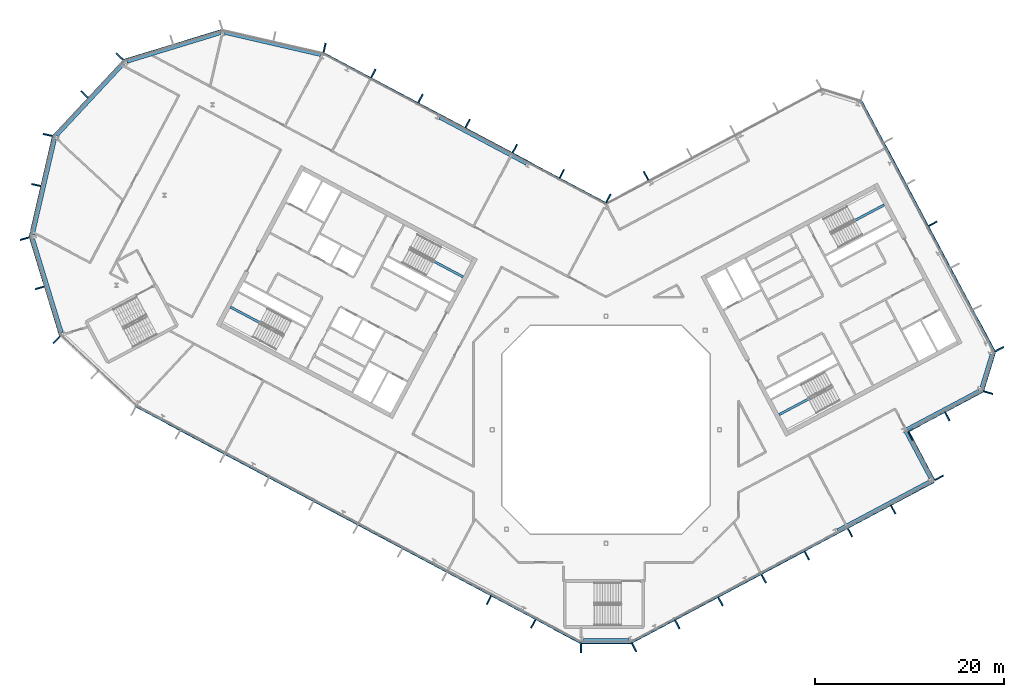
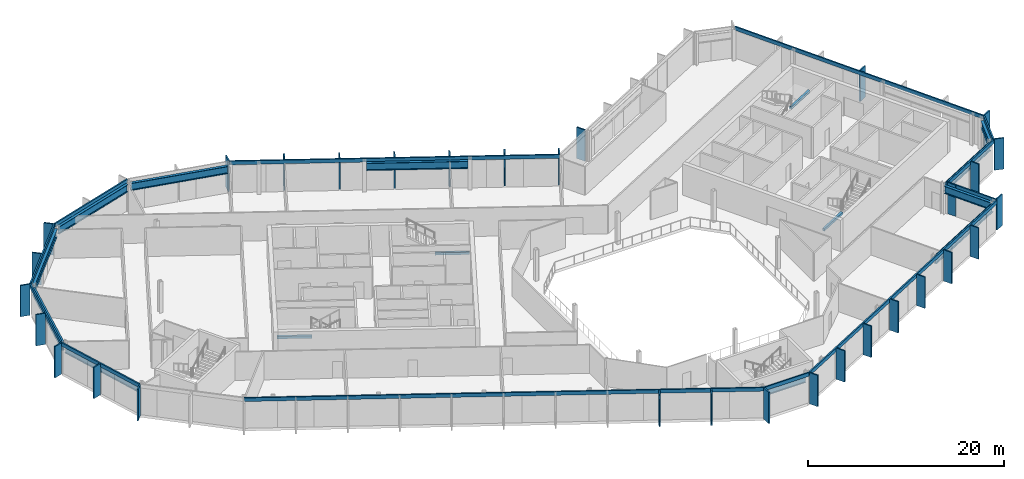
# One storey, part 9 of 26: 43 members, 15 beams, 15 elements without a shape of their own.
"""IFC4 building model written with IfcOpenShell, lengths in metres."""

from ifc_helpers import new_model, si_unit, direction, frame, origin, origin_2d, place, context, subcontext, project, spatial, rectangle, i_section, extrude, material, layer, layer_set, material_profile, profile_set, type_object, element, aggregate, save


model = new_model("IFC4")

# Units and contexts
model_context = context("Model", 3, precision=1e-05, world=origin(), true_north=direction((0.0, 1.0)))
body_context = subcontext(model_context, "Body", "Model", "MODEL_VIEW")
ifc_project = project(units=[si_unit("LENGTHUNIT", "METRE"), si_unit("AREAUNIT", "SQUARE_METRE"), si_unit("VOLUMEUNIT", "CUBIC_METRE"), si_unit("PLANEANGLEUNIT", "RADIAN"), si_unit("MASSUNIT", "GRAM", prefix="KILO")], contexts=[model_context])

# Site, building, storey
site_placement = place(None, origin())
site = spatial("IfcSite", under=ifc_project, at=site_placement, CompositionType="ELEMENT")
building_placement = place(site_placement, origin())
building = spatial("IfcBuilding", under=site, at=building_placement, Name="Cormorant Relay Tower", CompositionType="ELEMENT")
storey_placement = place(building_placement, frame((0.0, 0.0, 269.699951171875)))
storey = spatial("IfcBuildingStorey", under=building, at=storey_placement, Name="L60", CompositionType="ELEMENT", Elevation=269.699951171875)

# Curtain wall, member
ifc_material_1 = material(Name="Aluminium 6063-T6 anodised bronze", Category="aluminium")
ifc_layer = layer(ifc_material_1, 0.199951171875)
ifc_layer_set = layer_set([ifc_layer], Name="CW1 unitised bronze curtain wall with vertical fins")
curtain_wall_type = type_object("IfcCurtainWallType", Name="CW1 unitised bronze curtain wall with vertical fins", PredefinedType="NOTDEFINED", material=ifc_layer_set)
curtain_wall_1_placement = place(storey_placement, origin())
curtain_wall_1 = element("IfcCurtainWall", 1, at=curtain_wall_1_placement, inside=storey, type_object=curtain_wall_type, Name="CW1 curtain wall 1", PredefinedType="NOTDEFINED")
ifc_material_2 = material(Name="Aluminium 6063-T6 anodised bronze", Category="aluminium")
ifc_material_profile_1 = material_profile(ifc_material_2, rectangle(XDim=0.14990234375, YDim=1.0, at=origin_2d()), Name="AL 150x1000")
ifc_profile_set_1 = profile_set([ifc_material_profile_1], Name="Aluminium 6063-T6 anodised bronze")
member_type_1 = type_object("IfcMemberType", Name="CW1 bronze fin mullion 150 x 1000", PredefinedType="MULLION", material=ifc_profile_set_1)
member_1_placement = place(storey_placement, frame((-2.648681640625, -23.07568359375, 0.0), z_axis=(0.0, 0.0, 1.0), x_axis=(1.0, 0.0, 0.0)))
member_1 = element("IfcMember", 2, at=member_1_placement, type_object=member_type_1, Name="CW1 fin 1.1", PredefinedType="MULLION", context=body_context, shape_type="SweptSolid", body=[
    extrude(rectangle(XDim=0.14990234375, YDim=1.0, at=origin_2d()), origin(), (0.0, 0.0, 1.0), 3.900146484375),
])

# Curtain wall, members
curtain_wall_2_placement = place(storey_placement, origin())
curtain_wall_2 = element("IfcCurtainWall", 3, at=curtain_wall_2_placement, inside=storey, type_object=curtain_wall_type, Name="CW1 curtain wall 2", PredefinedType="NOTDEFINED")
member_2_placement = place(storey_placement, frame((2.9775390625, -22.99365234375, 0.0), z_axis=(0.0, 0.0, 1.0), x_axis=(0.882947592859, 0.469471562786, 0.0)))
member_2 = element("IfcMember", 4, at=member_2_placement, type_object=member_type_1, Name="CW1 fin 2.1", PredefinedType="MULLION", context=body_context, shape_type="SweptSolid", body=[
    extrude(rectangle(XDim=0.14990234375, YDim=1.0, at=origin_2d()), origin(), (0.0, 0.0, 1.0), 3.900146484375),
])
member_3_placement = place(storey_placement, frame((7.539306640625, -20.568115234375, 0.0), z_axis=(0.0, 0.0, 1.0), x_axis=(0.882947592859, 0.469471562786, 0.0)))
member_3 = element("IfcMember", 5, at=member_3_placement, type_object=member_type_1, Name="CW1 fin 2.2", PredefinedType="MULLION", context=body_context, shape_type="SweptSolid", body=[
    extrude(rectangle(XDim=0.14990234375, YDim=1.0, at=origin_2d()), origin(), (0.0, 0.0, 1.0), 3.900146484375),
])
member_4_placement = place(storey_placement, frame((12.10107421875, -18.142578125, 0.0), z_axis=(0.0, 0.0, 1.0), x_axis=(0.882947592859, 0.469471562786, 0.0)))
member_4 = element("IfcMember", 6, at=member_4_placement, type_object=member_type_1, Name="CW1 fin 2.3", PredefinedType="MULLION", context=body_context, shape_type="SweptSolid", body=[
    extrude(rectangle(XDim=0.14990234375, YDim=1.0, at=origin_2d()), origin(), (0.0, 0.0, 1.0), 3.900146484375),
])
member_5_placement = place(storey_placement, frame((16.662841796875, -15.717041015625, 0.0), z_axis=(0.0, 0.0, 1.0), x_axis=(0.882947592859, 0.469471562786, 0.0)))
member_5 = element("IfcMember", 7, at=member_5_placement, type_object=member_type_1, Name="CW1 fin 2.4", PredefinedType="MULLION", context=body_context, shape_type="SweptSolid", body=[
    extrude(rectangle(XDim=0.14990234375, YDim=1.0, at=origin_2d()), origin(), (0.0, 0.0, 1.0), 3.900146484375),
])
member_6_placement = place(storey_placement, frame((21.224609375, -13.29150390625, 0.0), z_axis=(0.0, 0.0, 1.0), x_axis=(0.882947592859, 0.469471562786, 0.0)))
member_6 = element("IfcMember", 8, at=member_6_placement, type_object=member_type_1, Name="CW1 fin 2.5", PredefinedType="MULLION", context=body_context, shape_type="SweptSolid", body=[
    extrude(rectangle(XDim=0.14990234375, YDim=1.0, at=origin_2d()), origin(), (0.0, 0.0, 1.0), 3.900146484375),
])
member_7_placement = place(storey_placement, frame((25.78662109375, -10.865966796875, 0.0), z_axis=(0.0, 0.0, 1.0), x_axis=(0.882947592859, 0.469471562786, 0.0)))
member_7 = element("IfcMember", 9, at=member_7_placement, type_object=member_type_1, Name="CW1 fin 2.6", PredefinedType="MULLION", context=body_context, shape_type="SweptSolid", body=[
    extrude(rectangle(XDim=0.14990234375, YDim=1.0, at=origin_2d()), origin(), (0.0, 0.0, 1.0), 3.900146484375),
])
member_8_placement = place(storey_placement, frame((30.348388671875, -8.440185546875, 0.0), z_axis=(0.0, 0.0, 1.0), x_axis=(0.882947592859, 0.469471562786, 0.0)))
member_8 = element("IfcMember", 10, at=member_8_placement, type_object=member_type_1, Name="CW1 fin 2.7", PredefinedType="MULLION", context=body_context, shape_type="SweptSolid", body=[
    extrude(rectangle(XDim=0.14990234375, YDim=1.0, at=origin_2d()), origin(), (0.0, 0.0, 1.0), 3.900146484375),
])

# Curtain wall, member
curtain_wall_3_placement = place(storey_placement, origin())
curtain_wall_3 = element("IfcCurtainWall", 11, at=curtain_wall_3_placement, inside=storey, type_object=curtain_wall_type, Name="CW1 curtain wall 3", PredefinedType="NOTDEFINED")
member_9_placement = place(storey_placement, frame((35.199462890625, -5.068115234375, 0.0), z_axis=(0.0, 0.0, 1.0), x_axis=(-0.469471562786, 0.882947592859, 0.0)))
member_9 = element("IfcMember", 12, at=member_9_placement, type_object=member_type_1, Name="CW1 fin 3.1", PredefinedType="MULLION", context=body_context, shape_type="SweptSolid", body=[
    extrude(rectangle(XDim=0.14990234375, YDim=1.0, at=origin_2d()), origin(), (0.0, 0.0, 1.0), 3.900146484375),
])

# Curtain wall, members
curtain_wall_4_placement = place(storey_placement, origin())
curtain_wall_4 = element("IfcCurtainWall", 13, at=curtain_wall_4_placement, inside=storey, type_object=curtain_wall_type, Name="CW1 curtain wall 4", PredefinedType="NOTDEFINED")
member_10_placement = place(storey_placement, frame((32.159423828125, -0.681884765625, 0.0), z_axis=(0.0, 0.0, 1.0), x_axis=(0.882947592859, 0.469471562786, 0.0)))
member_10 = element("IfcMember", 14, at=member_10_placement, type_object=member_type_1, Name="CW1 fin 4.1", PredefinedType="MULLION", context=body_context, shape_type="SweptSolid", body=[
    extrude(rectangle(XDim=0.14990234375, YDim=1.0, at=origin_2d()), origin(), (0.0, 0.0, 1.0), 3.900146484375),
])
member_11_placement = place(storey_placement, frame((36.06640625, 1.3955078125, 0.0), z_axis=(0.0, 0.0, 1.0), x_axis=(0.882947592859, 0.469471562786, 0.0)))
member_11 = element("IfcMember", 15, at=member_11_placement, type_object=member_type_1, Name="CW1 fin 4.2", PredefinedType="MULLION", context=body_context, shape_type="SweptSolid", body=[
    extrude(rectangle(XDim=0.14990234375, YDim=1.0, at=origin_2d()), origin(), (0.0, 0.0, 1.0), 3.900146484375),
])

# Curtain wall, member
curtain_wall_5_placement = place(storey_placement, origin())
curtain_wall_5 = element("IfcCurtainWall", 16, at=curtain_wall_5_placement, inside=storey, type_object=curtain_wall_type, Name="CW1 curtain wall 5", PredefinedType="NOTDEFINED")
member_12_placement = place(storey_placement, frame((40.380615234375, 3.921630859375, 0.0), z_axis=(0.0, 0.0, 1.0), x_axis=(0.292371704723, 0.956304755963, 0.0)))
member_12 = element("IfcMember", 17, at=member_12_placement, type_object=member_type_1, Name="CW1 fin 5.1", PredefinedType="MULLION", context=body_context, shape_type="SweptSolid", body=[
    extrude(rectangle(XDim=0.14990234375, YDim=1.0, at=origin_2d()), origin(), (0.0, 0.0, 1.0), 3.900146484375),
])

# Curtain wall, members
curtain_wall_6_placement = place(storey_placement, origin())
curtain_wall_6 = element("IfcCurtainWall", 18, at=curtain_wall_6_placement, inside=storey, type_object=curtain_wall_type, Name="CW1 curtain wall 6", PredefinedType="NOTDEFINED")
member_13_placement = place(storey_placement, frame((41.569580078125, 8.51220703125, 0.0), z_axis=(0.0, 0.0, 1.0), x_axis=(-0.469471562786, 0.882947592859, 0.0)))
member_13 = element("IfcMember", 19, at=member_13_placement, type_object=member_type_1, Name="CW1 fin 6.1", PredefinedType="MULLION", context=body_context, shape_type="SweptSolid", body=[
    extrude(rectangle(XDim=0.14990234375, YDim=1.0, at=origin_2d()), origin(), (0.0, 0.0, 1.0), 3.900146484375),
])
member_14_placement = place(storey_placement, frame((34.527587890625, 21.75634765625, 0.0), z_axis=(0.0, 0.0, 1.0), x_axis=(-0.469471562786, 0.882947592859, 0.0)))
member_14 = element("IfcMember", 20, at=member_14_placement, type_object=member_type_1, Name="CW1 fin 6.4", PredefinedType="MULLION", context=body_context, shape_type="SweptSolid", body=[
    extrude(rectangle(XDim=0.14990234375, YDim=1.0, at=origin_2d()), origin(), (0.0, 0.0, 1.0), 3.900146484375),
])

# Curtain wall, member
curtain_wall_7_placement = place(storey_placement, origin())
curtain_wall_7 = element("IfcCurtainWall", 21, at=curtain_wall_7_placement, inside=storey, type_object=curtain_wall_type, Name="CW1 curtain wall 8", PredefinedType="NOTDEFINED")
member_15_placement = place(storey_placement, frame((4.2333984375, 26.82763671875, 0.0), z_axis=(0.0, 0.0, 1.0), x_axis=(-0.882947592859, -0.469471562786, 0.0)))
member_15 = element("IfcMember", 22, at=member_15_placement, type_object=member_type_1, Name="CW1 fin 8.5", PredefinedType="MULLION", context=body_context, shape_type="SweptSolid", body=[
    extrude(rectangle(XDim=0.14990234375, YDim=1.0, at=origin_2d()), origin(), (0.0, 0.0, 1.0), 3.900146484375),
])
aggregate(curtain_wall_7, [member_15])

# Curtain wall, members
curtain_wall_8_placement = place(storey_placement, origin())
curtain_wall_8 = element("IfcCurtainWall", 23, at=curtain_wall_8_placement, inside=storey, type_object=curtain_wall_type, Name="CW1 curtain wall 9", PredefinedType="NOTDEFINED")
member_16_placement = place(storey_placement, frame((0.262451171875, 24.437255859375, 0.0), z_axis=(0.0, 0.0, 1.0), x_axis=(-0.882947592859, 0.469471562786, 0.0)))
member_16 = element("IfcMember", 24, at=member_16_placement, type_object=member_type_1, Name="CW1 fin 9.1", PredefinedType="MULLION", context=body_context, shape_type="SweptSolid", body=[
    extrude(rectangle(XDim=0.14990234375, YDim=1.0, at=origin_2d()), origin(), (0.0, 0.0, 1.0), 3.900146484375),
])
member_17_placement = place(storey_placement, frame((-4.650390625, 27.04931640625, 0.0), z_axis=(0.0, 0.0, 1.0), x_axis=(-0.882947592859, 0.469471562786, 0.0)))
member_17 = element("IfcMember", 25, at=member_17_placement, type_object=member_type_1, Name="CW1 fin 9.2", PredefinedType="MULLION", context=body_context, shape_type="SweptSolid", body=[
    extrude(rectangle(XDim=0.14990234375, YDim=1.0, at=origin_2d()), origin(), (0.0, 0.0, 1.0), 3.900146484375),
])
member_18_placement = place(storey_placement, frame((-9.62939453125, 29.69677734375, 0.0), z_axis=(0.0, 0.0, 1.0), x_axis=(-0.882947592859, 0.469471562786, 0.0)))
member_18 = element("IfcMember", 26, at=member_18_placement, type_object=member_type_1, Name="CW1 fin 9.3", PredefinedType="MULLION", context=body_context, shape_type="SweptSolid", body=[
    extrude(rectangle(XDim=0.14990234375, YDim=1.0, at=origin_2d()), origin(), (0.0, 0.0, 1.0), 3.900146484375),
])
member_19_placement = place(storey_placement, frame((-14.608154296875, 32.343994140625, 0.0), z_axis=(0.0, 0.0, 1.0), x_axis=(-0.882947592859, 0.469471562786, 0.0)))
member_19 = element("IfcMember", 27, at=member_19_placement, type_object=member_type_1, Name="CW1 fin 9.4", PredefinedType="MULLION", context=body_context, shape_type="SweptSolid", body=[
    extrude(rectangle(XDim=0.14990234375, YDim=1.0, at=origin_2d()), origin(), (0.0, 0.0, 1.0), 3.900146484375),
])
member_20_placement = place(storey_placement, frame((-19.587158203125, 34.991455078125, 0.0), z_axis=(0.0, 0.0, 1.0), x_axis=(-0.882947592859, 0.469471562786, 0.0)))
member_20 = element("IfcMember", 28, at=member_20_placement, type_object=member_type_1, Name="CW1 fin 9.5", PredefinedType="MULLION", context=body_context, shape_type="SweptSolid", body=[
    extrude(rectangle(XDim=0.14990234375, YDim=1.0, at=origin_2d()), origin(), (0.0, 0.0, 1.0), 3.900146484375),
])
member_21_placement = place(storey_placement, frame((-24.566162109375, 37.638916015625, 0.0), z_axis=(0.0, 0.0, 1.0), x_axis=(-0.882947592859, 0.469471562786, 0.0)))
member_21 = element("IfcMember", 29, at=member_21_placement, type_object=member_type_1, Name="CW1 fin 9.6", PredefinedType="MULLION", context=body_context, shape_type="SweptSolid", body=[
    extrude(rectangle(XDim=0.14990234375, YDim=1.0, at=origin_2d()), origin(), (0.0, 0.0, 1.0), 3.900146484375),
])

# Curtain wall, member
curtain_wall_9_placement = place(storey_placement, origin())
curtain_wall_9 = element("IfcCurtainWall", 30, at=curtain_wall_9_placement, inside=storey, type_object=curtain_wall_type, Name="CW1 curtain wall 10", PredefinedType="NOTDEFINED")
member_22_placement = place(storey_placement, frame((-29.71630859375, 40.35009765625, 0.0), z_axis=(0.0, 0.0, 1.0), x_axis=(-0.974370064785, 0.224951054344, 0.0)))
member_22 = element("IfcMember", 31, at=member_22_placement, type_object=member_type_1, Name="CW1 fin 10.1", PredefinedType="MULLION", context=body_context, shape_type="SweptSolid", body=[
    extrude(rectangle(XDim=0.14990234375, YDim=1.0, at=origin_2d()), origin(), (0.0, 0.0, 1.0), 3.900146484375),
])
aggregate(curtain_wall_9, [member_22])

# Curtain wall, members
curtain_wall_10_placement = place(storey_placement, origin())
curtain_wall_10 = element("IfcCurtainWall", 32, at=curtain_wall_10_placement, inside=storey, type_object=curtain_wall_type, Name="CW1 curtain wall 12", PredefinedType="NOTDEFINED")
member_23_placement = place(storey_placement, frame((-51.372802734375, 39.41259765625, 0.0), z_axis=(0.0, 0.0, 1.0), x_axis=(-0.681998360062, -0.731353701619, 0.0)))
member_23 = element("IfcMember", 33, at=member_23_placement, type_object=member_type_1, Name="CW1 fin 12.1", PredefinedType="MULLION", context=body_context, shape_type="SweptSolid", body=[
    extrude(rectangle(XDim=0.14990234375, YDim=1.0, at=origin_2d()), origin(), (0.0, 0.0, 1.0), 3.900146484375),
])
member_24_placement = place(storey_placement, frame((-55.07958984375, 35.4375, 0.0), z_axis=(0.0, 0.0, 1.0), x_axis=(-0.681998360062, -0.731353701619, 0.0)))
member_24 = element("IfcMember", 34, at=member_24_placement, type_object=member_type_1, Name="CW1 fin 12.2", PredefinedType="MULLION", context=body_context, shape_type="SweptSolid", body=[
    extrude(rectangle(XDim=0.14990234375, YDim=1.0, at=origin_2d()), origin(), (0.0, 0.0, 1.0), 3.900146484375),
])

curtain_wall_11_placement = place(storey_placement, origin())
curtain_wall_11 = element("IfcCurtainWall", 35, at=curtain_wall_11_placement, inside=storey, type_object=curtain_wall_type, Name="CW1 curtain wall 13", PredefinedType="NOTDEFINED")
member_25_placement = place(storey_placement, frame((-58.95654296875, 31.142578125, 0.0), z_axis=(0.0, 0.0, 1.0), x_axis=(-0.224951054344, -0.974370064785, 0.0)))
member_25 = element("IfcMember", 36, at=member_25_placement, type_object=member_type_1, Name="CW1 fin 13.1", PredefinedType="MULLION", context=body_context, shape_type="SweptSolid", body=[
    extrude(rectangle(XDim=0.14990234375, YDim=1.0, at=origin_2d()), origin(), (0.0, 0.0, 1.0), 3.900146484375),
])
member_26_placement = place(storey_placement, frame((-60.17919921875, 25.8466796875, 0.0), z_axis=(0.0, 0.0, 1.0), x_axis=(-0.224951054344, -0.974370064785, 0.0)))
member_26 = element("IfcMember", 37, at=member_26_placement, type_object=member_type_1, Name="CW1 fin 13.2", PredefinedType="MULLION", context=body_context, shape_type="SweptSolid", body=[
    extrude(rectangle(XDim=0.14990234375, YDim=1.0, at=origin_2d()), origin(), (0.0, 0.0, 1.0), 3.900146484375),
])

curtain_wall_12_placement = place(storey_placement, origin())
curtain_wall_12 = element("IfcCurtainWall", 38, at=curtain_wall_12_placement, inside=storey, type_object=curtain_wall_type, Name="CW1 curtain wall 14", PredefinedType="NOTDEFINED")
member_27_placement = place(storey_placement, frame((-61.389404296875, 20.188720703125, 0.0), z_axis=(0.0, 0.0, 1.0), x_axis=(0.292371704723, -0.956304755963, 0.0)))
member_27 = element("IfcMember", 39, at=member_27_placement, type_object=member_type_1, Name="CW1 fin 14.1", PredefinedType="MULLION", context=body_context, shape_type="SweptSolid", body=[
    extrude(rectangle(XDim=0.14990234375, YDim=1.0, at=origin_2d()), origin(), (0.0, 0.0, 1.0), 3.900146484375),
])
member_28_placement = place(storey_placement, frame((-59.80029296875, 14.990966796875, 0.0), z_axis=(0.0, 0.0, 1.0), x_axis=(0.292371704723, -0.956304755963, 0.0)))
member_28 = element("IfcMember", 40, at=member_28_placement, type_object=member_type_1, Name="CW1 fin 14.2", PredefinedType="MULLION", context=body_context, shape_type="SweptSolid", body=[
    extrude(rectangle(XDim=0.14990234375, YDim=1.0, at=origin_2d()), origin(), (0.0, 0.0, 1.0), 3.900146484375),
])

# Curtain wall, member
curtain_wall_13_placement = place(storey_placement, origin())
curtain_wall_13 = element("IfcCurtainWall", 41, at=curtain_wall_13_placement, inside=storey, type_object=curtain_wall_type, Name="CW1 curtain wall 15", PredefinedType="NOTDEFINED")
member_29_placement = place(storey_placement, frame((-58.01904296875, 9.486083984375, 0.0), z_axis=(0.0, 0.0, 1.0), x_axis=(0.731353701619, -0.681998360062, 0.0)))
member_29 = element("IfcMember", 42, at=member_29_placement, type_object=member_type_1, Name="CW1 fin 15.1", PredefinedType="MULLION", context=body_context, shape_type="SweptSolid", body=[
    extrude(rectangle(XDim=0.14990234375, YDim=1.0, at=origin_2d()), origin(), (0.0, 0.0, 1.0), 3.900146484375),
])
aggregate(curtain_wall_13, [member_29])

# Curtain wall, members
curtain_wall_14_placement = place(storey_placement, origin())
curtain_wall_14 = element("IfcCurtainWall", 43, at=curtain_wall_14_placement, inside=storey, type_object=curtain_wall_type, Name="CW1 curtain wall 16", PredefinedType="NOTDEFINED")
member_30_placement = place(storey_placement, frame((-12.365966796875, -18.001708984375, 0.0), z_axis=(0.0, 0.0, 1.0), x_axis=(0.882947592859, -0.469471562786, 0.0)))
member_30 = element("IfcMember", 44, at=member_30_placement, type_object=member_type_1, Name="CW1 fin 16.9", PredefinedType="MULLION", context=body_context, shape_type="SweptSolid", body=[
    extrude(rectangle(XDim=0.14990234375, YDim=1.0, at=origin_2d()), origin(), (0.0, 0.0, 1.0), 3.900146484375),
])
member_31_placement = place(storey_placement, frame((-7.671630859375, -20.49755859375, 0.0), z_axis=(0.0, 0.0, 1.0), x_axis=(0.882947592859, -0.469471562786, 0.0)))
member_31 = element("IfcMember", 45, at=member_31_placement, type_object=member_type_1, Name="CW1 fin 16.10", PredefinedType="MULLION", context=body_context, shape_type="SweptSolid", body=[
    extrude(rectangle(XDim=0.14990234375, YDim=1.0, at=origin_2d()), origin(), (0.0, 0.0, 1.0), 3.900146484375),
])

# Member
ifc_material_3 = material(Name="Aluminium 6063-T6 anodised bronze", Category="aluminium")
ifc_material_profile_2 = material_profile(ifc_material_3, rectangle(XDim=0.159912109375, YDim=0.449951171875, at=origin_2d()), Name="AL 160x450")
ifc_profile_set_2 = profile_set([ifc_material_profile_2], Name="Aluminium 6063-T6 anodised bronze")
member_type_2 = type_object("IfcMemberType", Name="CW1 bronze transom 160 x 450", PredefinedType="USERDEFINED", material=ifc_profile_set_2)
member_32_placement = place(storey_placement, frame((-2.648681640625, -22.49560546875, 3.675048828125), z_axis=(1.0, 0.0, 0.0), x_axis=(0.0, 1.0, 0.0)))
member_32 = element("IfcMember", 46, at=member_32_placement, type_object=member_type_2, Name="CW1 transom 1", ObjectType="TRANSOM", PredefinedType="USERDEFINED", context=body_context, shape_type="SweptSolid", body=[
    extrude(rectangle(XDim=0.159912109375, YDim=0.449951171875, at=origin_2d()), origin(), (0.0, 0.0, 1.0), 5.29736328125),
])

aggregate(curtain_wall_1, [member_1, member_32])

member_33_placement = place(storey_placement, frame((2.705078125, -22.4814453125, 3.675048828125), z_axis=(0.882948899141, 0.469469106018, 0.0), x_axis=(-0.469469106018, 0.882948899141, 0.0)))
member_33 = element("IfcMember", 47, at=member_33_placement, type_object=member_type_2, Name="CW1 transom 2", ObjectType="TRANSOM", PredefinedType="USERDEFINED", context=body_context, shape_type="SweptSolid", body=[
    extrude(rectangle(XDim=0.159912109375, YDim=0.449951171875, at=origin_2d()), origin(), (0.0, 0.0, 1.0), 36.165771484375),
])

aggregate(curtain_wall_2, [member_2, member_3, member_4, member_5, member_6, member_7, member_8, member_33])

member_34_placement = place(storey_placement, frame((34.6875, -5.34033203125, 3.675048828125), z_axis=(-0.469485426614, 0.882940221191, 0.0), x_axis=(-0.882940221191, -0.469485426614, 0.0)))
member_34 = element("IfcMember", 48, at=member_34_placement, type_object=member_type_2, Name="CW1 transom 3", ObjectType="TRANSOM", PredefinedType="USERDEFINED", context=body_context, shape_type="SweptSolid", body=[
    extrude(rectangle(XDim=0.159912109375, YDim=0.449951171875, at=origin_2d()), origin(), (0.0, 0.0, 1.0), 6.0),
])

aggregate(curtain_wall_3, [member_9, member_34])

member_35_placement = place(storey_placement, frame((31.82080078125, -0.205078125, 3.675048828125), z_axis=(0.882949189538, 0.469468559857, 0.0), x_axis=(-0.469468559857, 0.882949189538, 0.0)))
member_35 = element("IfcMember", 49, at=member_35_placement, type_object=member_type_2, Name="CW1 transom 4", ObjectType="TRANSOM", PredefinedType="USERDEFINED", context=body_context, shape_type="SweptSolid", body=[
    extrude(rectangle(XDim=0.159912109375, YDim=0.449951171875, at=origin_2d()), origin(), (0.0, 0.0, 1.0), 9.000244140625),
])

aggregate(curtain_wall_4, [member_10, member_11, member_35])

member_36_placement = place(storey_placement, frame((39.825927734375, 4.091064453125, 3.675048828125), z_axis=(0.292374957137, 0.956303761594, 0.0), x_axis=(-0.956303761594, 0.292374957137, 0.0)))
member_36 = element("IfcMember", 50, at=member_36_placement, type_object=member_type_2, Name="CW1 transom 5", ObjectType="TRANSOM", PredefinedType="USERDEFINED", context=body_context, shape_type="SweptSolid", body=[
    extrude(rectangle(XDim=0.159912109375, YDim=0.449951171875, at=origin_2d()), origin(), (0.0, 0.0, 1.0), 4.24267578125),
])

aggregate(curtain_wall_5, [member_12, member_36])

member_37_placement = place(storey_placement, frame((41.0576171875, 8.23974609375, 3.675048828125), z_axis=(-0.469472335483, 0.882947182008, 0.0), x_axis=(-0.882947182008, -0.469472335483, 0.0)))
member_37 = element("IfcMember", 51, at=member_37_placement, type_object=member_type_2, Name="CW1 transom 6", ObjectType="TRANSOM", PredefinedType="USERDEFINED", context=body_context, shape_type="SweptSolid", body=[
    extrude(rectangle(XDim=0.159912109375, YDim=0.449951171875, at=origin_2d()), origin(), (0.0, 0.0, 1.0), 30.000244140625),
])

aggregate(curtain_wall_6, [member_13, member_14, member_37])

member_38_placement = place(storey_placement, frame((0.056396484375, 23.889892578125, 3.675048828125), z_axis=(-0.882946280328, 0.46947403129, 0.0), x_axis=(-0.46947403129, -0.882946280328, 0.0)))
member_38 = element("IfcMember", 52, at=member_38_placement, type_object=member_type_2, Name="CW1 transom 9", ObjectType="TRANSOM", PredefinedType="USERDEFINED", context=body_context, shape_type="SweptSolid", body=[
    extrude(rectangle(XDim=0.159912109375, YDim=0.449951171875, at=origin_2d()), origin(), (0.0, 0.0, 1.0), 33.834228515625),
])

aggregate(curtain_wall_8, [member_16, member_17, member_18, member_19, member_20, member_21, member_38])

# Curtain wall, member
curtain_wall_15_placement = place(storey_placement, origin())
curtain_wall_15 = element("IfcCurtainWall", 53, at=curtain_wall_15_placement, inside=storey, type_object=curtain_wall_type, Name="CW1 curtain wall 11", PredefinedType="NOTDEFINED")
member_39_placement = place(storey_placement, frame((-40.50048828125, 42.228271484375, 3.675048828125), z_axis=(-0.956304833932, -0.292371449698, 0.0), x_axis=(0.292371449698, -0.956304833932, 0.0)))
member_39 = element("IfcMember", 54, at=member_39_placement, type_object=member_type_2, Name="CW1 transom 11", ObjectType="TRANSOM", PredefinedType="USERDEFINED", context=body_context, shape_type="SweptSolid", body=[
    extrude(rectangle(XDim=0.159912109375, YDim=0.449951171875, at=origin_2d()), origin(), (0.0, 0.0, 1.0), 10.87060546875),
])
aggregate(curtain_wall_15, [member_39])

# Member
member_40_placement = place(storey_placement, frame((-50.94873046875, 39.01708984375, 3.675048828125), z_axis=(-0.681993299437, -0.731358420696, 0.0), x_axis=(0.731358420696, -0.681993299437, 0.0)))
member_40 = element("IfcMember", 55, at=member_40_placement, type_object=member_type_2, Name="CW1 transom 12", ObjectType="TRANSOM", PredefinedType="USERDEFINED", context=body_context, shape_type="SweptSolid", body=[
    extrude(rectangle(XDim=0.159912109375, YDim=0.449951171875, at=origin_2d()), origin(), (0.0, 0.0, 1.0), 10.870361328125),
])

aggregate(curtain_wall_10, [member_23, member_24, member_40])

member_41_placement = place(storey_placement, frame((-58.3916015625, 31.01220703125, 3.675048828125), z_axis=(-0.22495136131, -0.974369993916, 0.0), x_axis=(0.974369993916, -0.22495136131, 0.0)))
member_41 = element("IfcMember", 56, at=member_41_placement, type_object=member_type_2, Name="CW1 transom 13", ObjectType="TRANSOM", PredefinedType="USERDEFINED", context=body_context, shape_type="SweptSolid", body=[
    extrude(rectangle(XDim=0.159912109375, YDim=0.449951171875, at=origin_2d()), origin(), (0.0, 0.0, 1.0), 10.870361328125),
])

aggregate(curtain_wall_11, [member_25, member_26, member_41])

member_42_placement = place(storey_placement, frame((-60.834716796875, 20.358154296875, 3.675048828125), z_axis=(0.292377729282, -0.95630291405, 0.0), x_axis=(0.95630291405, 0.292377729282, 0.0)))
member_42 = element("IfcMember", 57, at=member_42_placement, type_object=member_type_2, Name="CW1 transom 14", ObjectType="TRANSOM", PredefinedType="USERDEFINED", context=body_context, shape_type="SweptSolid", body=[
    extrude(rectangle(XDim=0.159912109375, YDim=0.449951171875, at=origin_2d()), origin(), (0.0, 0.0, 1.0), 10.870361328125),
])

aggregate(curtain_wall_12, [member_27, member_28, member_42])

member_43_placement = place(storey_placement, frame((-49.64794921875, 2.478515625, 3.675048828125), z_axis=(0.882947642542, -0.469471469346, 0.0), x_axis=(0.469471469346, 0.882947642542, 0.0)))
member_43 = element("IfcMember", 58, at=member_43_placement, type_object=member_type_2, Name="CW1 transom 16", ObjectType="TRANSOM", PredefinedType="USERDEFINED", context=body_context, shape_type="SweptSolid", body=[
    extrude(rectangle(XDim=0.159912109375, YDim=0.449951171875, at=origin_2d()), origin(), (0.0, 0.0, 1.0), 53.166015625),
])

aggregate(curtain_wall_14, [member_30, member_31, member_43])

# Beams
ifc_material_4 = material(Name="Steel ASTM A992 (Fy 345 MPa)", Category="steel")
ifc_material_profile_3 = material_profile(ifc_material_4, i_section(OverallWidth=0.307373046875, OverallDepth=0.927001953125, WebThickness=0.019287109375, FlangeThickness=0.031982421875, FilletRadius=0.01904296875, at=origin_2d()), Name="W920x289")
ifc_profile_set_3 = profile_set([ifc_material_profile_3], Name="Steel ASTM A992 (Fy 345 MPa)")
beam_type_1 = type_object("IfcBeamType", Name="Spandrel W920x289", PredefinedType="SPANDREL", material=ifc_profile_set_3)
beam_1_placement = place(storey_placement, frame((-2.377197265625, -22.221923828125, 3.07666015625), z_axis=(1.0, 0.0, 0.0), x_axis=(0.0, 1.0, 0.0)))
element("IfcBeam", 59, at=beam_1_placement, inside=storey, type_object=beam_type_1, Name="Spandrel beam L60-001", PredefinedType="SPANDREL", context=body_context, shape_type="SweptSolid", body=[
    extrude(i_section(OverallWidth=0.307373046875, OverallDepth=0.927001953125, WebThickness=0.019287109375, FlangeThickness=0.031982421875, FilletRadius=0.01904296875, at=origin_2d()), origin(), (0.0, 0.0, 1.0), 4.79541015625),
])
beam_2_placement = place(storey_placement, frame((24.44287109375, -10.61328125, 3.07666015625), z_axis=(0.882957797597, 0.469452369961, 0.0), x_axis=(-0.469452369961, 0.882957797597, 0.0)))
element("IfcBeam", 60, at=beam_2_placement, inside=storey, type_object=beam_type_1, Name="Spandrel beam L60-002", PredefinedType="SPANDREL", context=body_context, shape_type="SweptSolid", body=[
    extrude(i_section(OverallWidth=0.307373046875, OverallDepth=0.927001953125, WebThickness=0.019287109375, FlangeThickness=0.031982421875, FilletRadius=0.01904296875, at=origin_2d()), origin(), (0.0, 0.0, 1.0), 10.992431640625),
])
beam_3_placement = place(storey_placement, frame((34.254638671875, -5.109619140625, 3.07666015625), z_axis=(-0.469457325339, 0.882955162897, 0.0), x_axis=(-0.882955162897, -0.469457325339, 0.0)))
element("IfcBeam", 61, at=beam_3_placement, inside=storey, type_object=beam_type_1, Name="Spandrel beam L60-003", PredefinedType="SPANDREL", context=body_context, shape_type="SweptSolid", body=[
    extrude(i_section(OverallWidth=0.307373046875, OverallDepth=0.927001953125, WebThickness=0.019287109375, FlangeThickness=0.031982421875, FilletRadius=0.01904296875, at=origin_2d()), origin(), (0.0, 0.0, 1.0), 5.593017578125),
])
beam_4_placement = place(storey_placement, frame((31.6923828125, 0.03662109375, 3.07666015625), z_axis=(0.882943393008, 0.469479461472, 0.0), x_axis=(-0.469479461472, 0.882943393008, 0.0)))
element("IfcBeam", 62, at=beam_4_placement, inside=storey, type_object=beam_type_1, Name="Spandrel beam L60-004", PredefinedType="SPANDREL", context=body_context, shape_type="SweptSolid", body=[
    extrude(i_section(OverallWidth=0.307373046875, OverallDepth=0.927001953125, WebThickness=0.019287109375, FlangeThickness=0.031982421875, FilletRadius=0.01904296875, at=origin_2d()), origin(), (0.0, 0.0, 1.0), 8.734375),
])
beam_5_placement = place(storey_placement, frame((39.6591796875, 4.4814453125, 3.07666015625), z_axis=(0.292323829151, 0.956319391684, 0.0), x_axis=(-0.956319391684, 0.292323829151, 0.0)))
element("IfcBeam", 63, at=beam_5_placement, inside=storey, type_object=beam_type_1, Name="Spandrel beam L60-005", PredefinedType="SPANDREL", context=body_context, shape_type="SweptSolid", body=[
    extrude(i_section(OverallWidth=0.307373046875, OverallDepth=0.927001953125, WebThickness=0.019287109375, FlangeThickness=0.031982421875, FilletRadius=0.01904296875, at=origin_2d()), origin(), (0.0, 0.0, 1.0), 3.652099609375),
])
beam_6_placement = place(storey_placement, frame((-8.401611328125, 28.0771484375, 3.07666015625), z_axis=(-0.882945471565, 0.469475552338, 0.0), x_axis=(-0.469475552338, -0.882945471565, 0.0)))
element("IfcBeam", 64, at=beam_6_placement, inside=storey, type_object=beam_type_1, Name="Spandrel beam L60-009", PredefinedType="SPANDREL", context=body_context, shape_type="SweptSolid", body=[
    extrude(i_section(OverallWidth=0.307373046875, OverallDepth=0.927001953125, WebThickness=0.019287109375, FlangeThickness=0.031982421875, FilletRadius=0.01904296875, at=origin_2d()), origin(), (0.0, 0.0, 1.0), 10.401123046875),
])
beam_7_placement = place(storey_placement, frame((-30.138427734375, 39.571533203125, 3.07666015625), z_axis=(-0.97437021882, 0.224950387145, 0.0), x_axis=(-0.224950387145, -0.97437021882, 0.0)))
element("IfcBeam", 65, at=beam_7_placement, inside=storey, type_object=beam_type_1, Name="Spandrel beam L60-010", PredefinedType="SPANDREL", context=body_context, shape_type="SweptSolid", body=[
    extrude(i_section(OverallWidth=0.307373046875, OverallDepth=0.927001953125, WebThickness=0.019287109375, FlangeThickness=0.031982421875, FilletRadius=0.01904296875, at=origin_2d()), origin(), (0.0, 0.0, 1.0), 10.3984375),
])
beam_8_placement = place(storey_placement, frame((-40.68505859375, 41.8857421875, 3.07666015625), z_axis=(-0.956304903575, -0.292371221906, 0.0), x_axis=(0.292371221906, -0.956304903575, 0.0)))
element("IfcBeam", 66, at=beam_8_placement, inside=storey, type_object=beam_type_1, Name="Spandrel beam L60-011", PredefinedType="SPANDREL", context=body_context, shape_type="SweptSolid", body=[
    extrude(i_section(OverallWidth=0.307373046875, OverallDepth=0.927001953125, WebThickness=0.019287109375, FlangeThickness=0.031982421875, FilletRadius=0.01904296875, at=origin_2d()), origin(), (0.0, 0.0, 1.0), 10.358642578125),
])
beam_9_placement = place(storey_placement, frame((-50.9375, 38.627685546875, 3.07666015625), z_axis=(-0.682009982741, -0.731342863124, 0.0), x_axis=(0.731342863124, -0.682009982741, 0.0)))
element("IfcBeam", 67, at=beam_9_placement, inside=storey, type_object=beam_type_1, Name="Spandrel beam L60-012", PredefinedType="SPANDREL", context=body_context, shape_type="SweptSolid", body=[
    extrude(i_section(OverallWidth=0.307373046875, OverallDepth=0.927001953125, WebThickness=0.019287109375, FlangeThickness=0.031982421875, FilletRadius=0.01904296875, at=origin_2d()), origin(), (0.0, 0.0, 1.0), 10.35791015625),
])
beam_10_placement = place(storey_placement, frame((-58.18701171875, 30.680908203125, 3.07666015625), z_axis=(-0.224955895786, -0.974368947038, 0.0), x_axis=(0.974368947038, -0.224955895786, 0.0)))
element("IfcBeam", 68, at=beam_10_placement, inside=storey, type_object=beam_type_1, Name="Spandrel beam L60-013", PredefinedType="SPANDREL", context=body_context, shape_type="SweptSolid", body=[
    extrude(i_section(OverallWidth=0.307373046875, OverallDepth=0.927001953125, WebThickness=0.019287109375, FlangeThickness=0.031982421875, FilletRadius=0.01904296875, at=origin_2d()), origin(), (0.0, 0.0, 1.0), 10.359130859375),
])
beam_11_placement = place(storey_placement, frame((-60.49169921875, 20.1728515625, 3.07666015625), z_axis=(0.292367651593, -0.95630599512, 0.0), x_axis=(0.95630599512, 0.292367651593, 0.0)))
element("IfcBeam", 69, at=beam_11_placement, inside=storey, type_object=beam_type_1, Name="Spandrel beam L60-014", PredefinedType="SPANDREL", context=body_context, shape_type="SweptSolid", body=[
    extrude(i_section(OverallWidth=0.307373046875, OverallDepth=0.927001953125, WebThickness=0.019287109375, FlangeThickness=0.031982421875, FilletRadius=0.01904296875, at=origin_2d()), origin(), (0.0, 0.0, 1.0), 10.357177734375),
])
ifc_material_5 = material(Name="Concrete 50 MPa", Category="concrete")
ifc_material_profile_4 = material_profile(ifc_material_5, rectangle(XDim=0.25, YDim=0.300048828125, at=origin_2d()), Name="RC 250x300")
ifc_profile_set_4 = profile_set([ifc_material_profile_4], Name="Concrete 50 MPa")
beam_type_2 = type_object("IfcBeamType", Name="Stair landing ledge beam 250x300", PredefinedType="BEAM", material=ifc_profile_set_4)
beam_12_placement = place(storey_placement, frame((-18.219482421875, 17.813720703125, 1.60009765625), z_axis=(0.882950035608, -0.469466968614, 0.0), x_axis=(0.469466968614, 0.882950035608, 0.0)))
element("IfcBeam", 70, at=beam_12_placement, inside=storey, type_object=beam_type_2, Name="A1 landing ledge beam", PredefinedType="BEAM", context=body_context, shape_type="SweptSolid", body=[
    extrude(rectangle(XDim=0.25, YDim=0.300048828125, at=origin_2d()), origin(), (0.0, 0.0, 1.0), 3.5498046875),
])
for number, where, z_axis, x_axis, name in (
    (71, (-36.523193359375, 11.29345703125, 1.60009765625), (-0.88293668587, 0.469492075273, 0.0), (-0.469492075273, -0.88293668587, 0.0), "A2 landing ledge beam"),
    (72, (21.4248046875, 3.265380859375, 1.60009765625), (-0.88296519247, -0.469438461235, 0.0), (0.469438461235, -0.88296519247, 0.0), "B1 landing ledge beam"),
    (73, (26.25439453125, 22.0859375, 1.60009765625), (0.88296519247, 0.469438461235, 0.0), (-0.469438461235, 0.88296519247, 0.0), "B2 landing ledge beam"),
):
    element("IfcBeam", number, at=place(storey_placement, frame(where, z_axis=z_axis, x_axis=x_axis)), inside=storey, type_object=beam_type_2, Name=name, PredefinedType="BEAM", context=body_context, shape_type="SweptSolid", body=[
        extrude(rectangle(XDim=0.25, YDim=0.300048828125, at=origin_2d()), origin(), (0.0, 0.0, 1.0), 3.550048828125),
    ])

save(model, "model.ifc")
